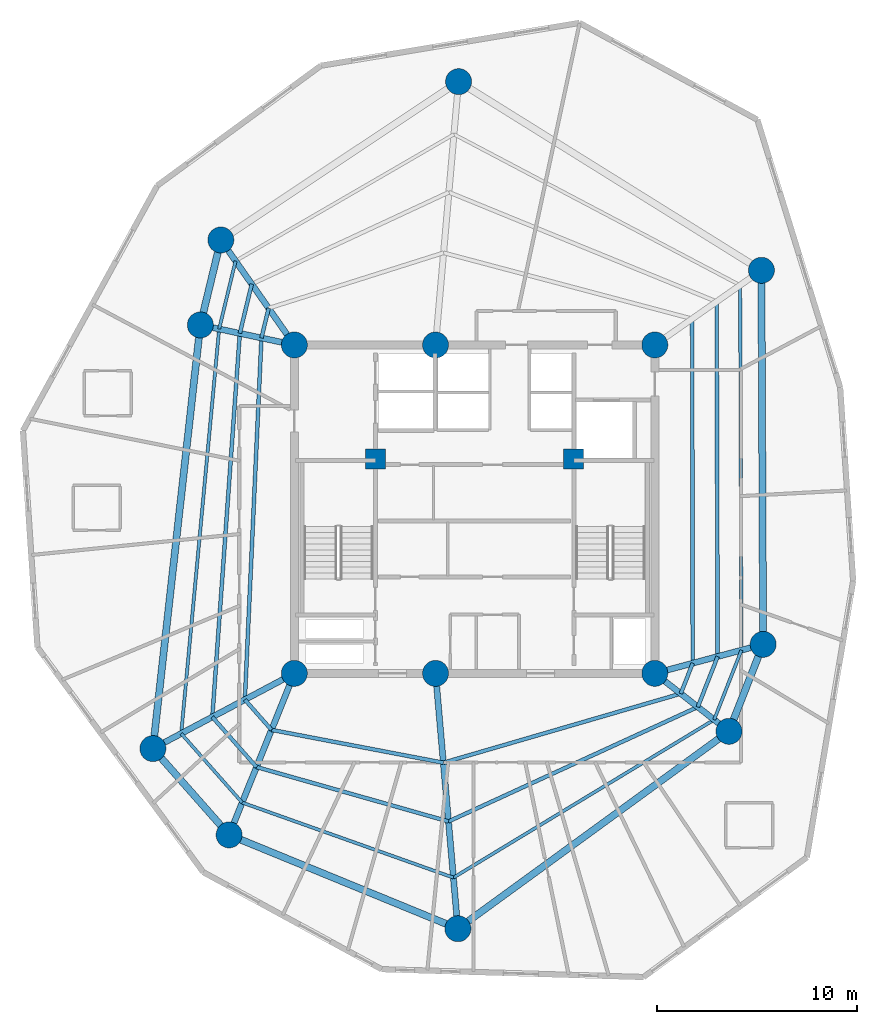
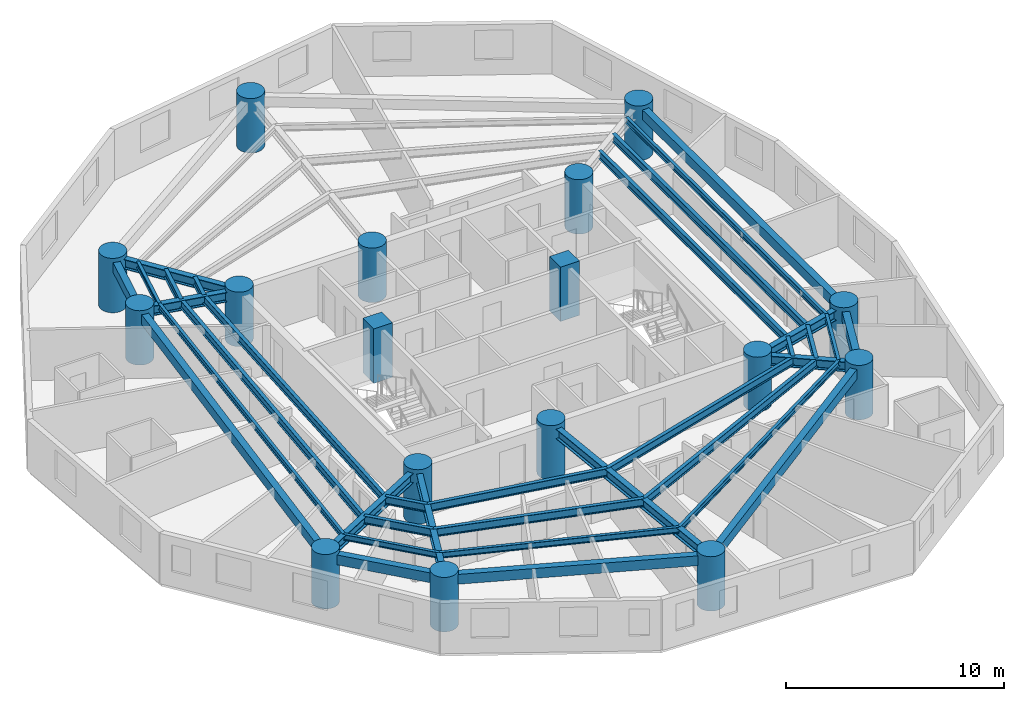
# One storey, part 1 of 7: 35 beams, 17 columns.
"""IFC4 building model written with IfcOpenShell, lengths in metres."""

from ifc_helpers import new_model, si_unit, direction, frame, origin, origin_with_axes, origin_2d, place, context, subcontext, project, spatial, rectangle, circle, i_section, extrude, source, transform, mapped, material, material_profile, profile_set, type_object, element, save


model = new_model("IFC4")

# Units and contexts
model_context = context("Model", 3, precision=1e-05, world=origin(), true_north=direction((0.0, 1.0)))
body_context = subcontext(model_context, "Body", "Model", "MODEL_VIEW")
ifc_project = project(units=[si_unit("LENGTHUNIT", "METRE"), si_unit("AREAUNIT", "SQUARE_METRE"), si_unit("VOLUMEUNIT", "CUBIC_METRE"), si_unit("PLANEANGLEUNIT", "RADIAN"), si_unit("MASSUNIT", "GRAM", prefix="KILO")], contexts=[model_context])

# Site, building, storey
site_placement = place(None, origin())
site = spatial("IfcSite", under=ifc_project, at=site_placement, CompositionType="ELEMENT")
building_placement = place(site_placement, origin())
building = spatial("IfcBuilding", under=site, at=building_placement, Name="Karkom Vertical University and Central Library", CompositionType="ELEMENT")
storey_placement = place(building_placement, frame((0.0, 0.0, 196.199951171875)))
storey = spatial("IfcBuildingStorey", under=building, at=storey_placement, Name="L57", CompositionType="ELEMENT", Elevation=196.199951171875)

# Columns
ifc_material_1 = material(Name="Concrete C50/60", Category="concrete")
ifc_material_profile_1 = material_profile(ifc_material_1, circle(Radius=0.64990234375, at=origin_2d()), Name="CFT-D1300")
ifc_profile_set_1 = profile_set([ifc_material_profile_1], Name="Concrete C50/60")
column_type_1 = type_object("IfcColumnType", Name="STR-COL-C-SC4", PredefinedType="COLUMN", material=ifc_profile_set_1)
shared_shape_1 = source(origin_with_axes(), body_context, "Body", "SweptSolid", [
    extrude(circle(Radius=0.64990234375, at=origin_2d()), origin(), (0.0, 0.0, 1.0), 3.050048828125),
])
for number, where, z_axis, x_axis, name in (
    (1, (19.5, 18.300048828125, 0.0), (0.0, 0.0, 1.0), (1.0, 0.0, 0.0), "Level 57 Spine Mega-Column SC-1"),
    (2, (26.550048828125, 18.300048828125, 0.0), (0.0, 0.0, 1.0), (1.0, 0.0, 0.0), "Level 57 Spine Mega-Column SC-2"),
    (3, (37.5, 18.300048828125, 0.0), (0.0, 0.0, 1.0), (1.0, 0.0, 0.0), "Level 57 Spine Mega-Column SC-3"),
    (4, (19.5, 34.699951171875, 0.0), (0.0, 0.0, 1.0), (1.0, 0.0, 0.0), "Level 57 Spine Mega-Column SC-4"),
    (5, (26.550048828125, 34.699951171875, 0.0), (0.0, 0.0, 1.0), (1.0, 0.0, 0.0), "Level 57 Spine Mega-Column SC-5"),
    (6, (37.5, 34.699951171875, 0.0), (0.0, 0.0, 1.0), (1.0, 0.0, 0.0), "Level 57 Spine Mega-Column SC-6"),
    (7, (42.908935546875, 19.7490234375, 0.0), (0.0, 0.0, 1.0), (1.0, 0.0, 0.0), "Level 57 Perimeter Mega-Column Z3-PC1"),
    (8, (42.823974609375, 38.427978515625, 0.0), (0.0, 0.0, 1.0), (1.0, 0.0, 0.0), "Level 57 Perimeter Mega-Column Z3-PC2"),
    (9, (27.699951171875, 47.85009765625, 0.0), (0.0, 0.0, 1.0), (1.0, 0.0, 0.0), "Level 57 Perimeter Mega-Column Z3-PC3"),
    (10, (15.8291015625, 39.943115234375, 0.0), (0.0, 0.0, 1.0), (1.0, 0.0, 0.0), "Level 57 Perimeter Mega-Column Z3-PC4"),
    (11, (14.804931640625, 35.697998046875, 0.0), (0.0, 0.0, 1.0), (1.0, 0.0, 0.0), "Level 57 Perimeter Mega-Column Z3-PC5"),
    (12, (12.43603515625, 14.5439453125, 0.0), (0.0, 0.0, 1.0), (1.0, 0.0, 0.0), "Level 57 Perimeter Mega-Column Z3-PC6"),
    (13, (16.240966796875, 10.23388671875, 0.0), (0.0, 0.0, 1.0), (1.0, 0.0, 0.0), "Level 57 Perimeter Mega-Column Z3-PC7"),
    (14, (27.666015625, 5.549072265625, 0.0), (0.0, 0.0, 1.0), (1.0, 0.0, 0.0), "Level 57 Perimeter Mega-Column Z3-PC8"),
    (15, (41.2041015625, 15.406005859375, 0.0), (0.0, 0.0, 1.0), (1.0, 0.0, 0.0), "Level 57 Perimeter Mega-Column Z3-PC9"),
):
    element("IfcColumn", number, at=place(storey_placement, frame(where, z_axis=z_axis, x_axis=x_axis)), inside=storey, type_object=column_type_1, Name=name, PredefinedType="COLUMN", context=body_context, shape_type="MappedRepresentation", body=[
        mapped(shared_shape_1, transform((0.0, 0.0, 0.0), scale=1.0)),
    ])
ifc_material_profile_2 = material_profile(ifc_material_1, rectangle(XDim=1.0, YDim=1.0, at=origin_2d()), Name="RC-1000x1000")
ifc_profile_set_2 = profile_set([ifc_material_profile_2], Name="Concrete C50/60")
column_type_2 = type_object("IfcColumnType", Name="STR-COL-C-CC2", PredefinedType="COLUMN", material=ifc_profile_set_2)
shared_shape_2 = source(origin_with_axes(), body_context, "Body", "SweptSolid", [
    extrude(rectangle(XDim=1.0, YDim=1.0, at=origin_2d()), origin(), (0.0, 0.0, 1.0), 3.050048828125),
])
for number, where, z_axis, x_axis, name in (
    (16, (23.550048828125, 29.0, 0.0), (0.0, 0.0, 1.0), (1.0, 0.0, 0.0), "Level 57 Core Node Column CC-1"),
    (17, (33.449951171875, 29.0, 0.0), (0.0, 0.0, 1.0), (1.0, 0.0, 0.0), "Level 57 Core Node Column CC-2"),
):
    element("IfcColumn", number, at=place(storey_placement, frame(where, z_axis=z_axis, x_axis=x_axis)), inside=storey, type_object=column_type_2, Name=name, PredefinedType="COLUMN", context=body_context, shape_type="MappedRepresentation", body=[
        mapped(shared_shape_2, transform((0.0, 0.0, 0.0), scale=1.0)),
    ])

# Beams
ifc_material_2 = material(Name="Precast concrete C45/55", Category="concrete")
ifc_material_profile_3 = material_profile(ifc_material_2, rectangle(XDim=0.35009765625, YDim=0.550048828125, at=origin_2d()), Name="SPB-350x550")
ifc_profile_set_3 = profile_set([ifc_material_profile_3], Name="Precast concrete C45/55")
beam_type_1 = type_object("IfcBeamType", Name="STR-BM-SP-2", PredefinedType="SPANDREL", material=ifc_profile_set_3)
shared_shape_3 = source(origin_with_axes(), body_context, "Body", "SweptSolid", [
    extrude(rectangle(XDim=0.35009765625, YDim=0.550048828125, at=origin_2d()), origin(), (0.0, 0.0, 1.0), 18.67919921875),
])
beam_1_placement = place(storey_placement, frame((42.908935546875, 19.7490234375, 2.550048828125), z_axis=(-0.004548437442, 0.999989655805, 0.0), x_axis=(-0.999989655805, -0.004548437442, 0.0)))
element("IfcBeam", 18, at=beam_1_placement, inside=storey, type_object=beam_type_1, Name="Level 57 Perimeter Spandrel Beam 01", PredefinedType="SPANDREL", context=body_context, shape_type="MappedRepresentation", body=[
    mapped(shared_shape_3, transform((0.0, 0.0, 0.0), scale=1.0)),
])
shared_shape_4 = source(origin_with_axes(), body_context, "Body", "SweptSolid", [
    extrude(rectangle(XDim=0.35009765625, YDim=0.550048828125, at=origin_2d()), origin(), (0.0, 0.0, 1.0), 4.366943359375),
])
beam_2_placement = place(storey_placement, frame((15.8291015625, 39.943115234375, 2.550048828125), z_axis=(-0.234529408772, -0.972109024966, 0.0), x_axis=(0.972109024966, -0.234529408772, 0.0)))
element("IfcBeam", 19, at=beam_2_placement, inside=storey, type_object=beam_type_1, Name="Level 57 Perimeter Spandrel Beam 04", PredefinedType="SPANDREL", context=body_context, shape_type="MappedRepresentation", body=[
    mapped(shared_shape_4, transform((0.0, 0.0, 0.0), scale=1.0)),
])
shared_shape_5 = source(origin_with_axes(), body_context, "Body", "SweptSolid", [
    extrude(rectangle(XDim=0.35009765625, YDim=0.550048828125, at=origin_2d()), origin(), (0.0, 0.0, 1.0), 21.286376953125),
])
beam_3_placement = place(storey_placement, frame((14.804931640625, 35.697998046875, 2.550048828125), z_axis=(-0.111287493264, -0.993788254028, 0.0), x_axis=(0.993788254028, -0.111287493264, 0.0)))
element("IfcBeam", 20, at=beam_3_placement, inside=storey, type_object=beam_type_1, Name="Level 57 Perimeter Spandrel Beam 05", PredefinedType="SPANDREL", context=body_context, shape_type="MappedRepresentation", body=[
    mapped(shared_shape_5, transform((0.0, 0.0, 0.0), scale=1.0)),
])
shared_shape_6 = source(origin_with_axes(), body_context, "Body", "SweptSolid", [
    extrude(rectangle(XDim=0.35009765625, YDim=0.550048828125, at=origin_2d()), origin(), (0.0, 0.0, 1.0), 5.749267578125),
])
beam_4_placement = place(storey_placement, frame((12.43603515625, 14.5439453125, 2.550048828125), z_axis=(0.661811219671, -0.74967053398, 0.0), x_axis=(0.74967053398, 0.661811219671, 0.0)))
element("IfcBeam", 21, at=beam_4_placement, inside=storey, type_object=beam_type_1, Name="Level 57 Perimeter Spandrel Beam 06", PredefinedType="SPANDREL", context=body_context, shape_type="MappedRepresentation", body=[
    mapped(shared_shape_6, transform((0.0, 0.0, 0.0), scale=1.0)),
])
shared_shape_7 = source(origin_with_axes(), body_context, "Body", "SweptSolid", [
    extrude(rectangle(XDim=0.35009765625, YDim=0.550048828125, at=origin_2d()), origin(), (0.0, 0.0, 1.0), 12.34814453125),
])
beam_5_placement = place(storey_placement, frame((16.240966796875, 10.23388671875, 2.550048828125), z_axis=(0.925236428984, -0.37939102583, 0.0), x_axis=(0.37939102583, 0.925236428984, 0.0)))
element("IfcBeam", 22, at=beam_5_placement, inside=storey, type_object=beam_type_1, Name="Level 57 Perimeter Spandrel Beam 07", PredefinedType="SPANDREL", context=body_context, shape_type="MappedRepresentation", body=[
    mapped(shared_shape_7, transform((0.0, 0.0, 0.0), scale=1.0)),
])
shared_shape_8 = source(origin_with_axes(), body_context, "Body", "SweptSolid", [
    extrude(rectangle(XDim=0.35009765625, YDim=0.550048828125, at=origin_2d()), origin(), (0.0, 0.0, 1.0), 16.746337890625),
])
beam_6_placement = place(storey_placement, frame((27.666015625, 5.549072265625, 2.550048828125), z_axis=(0.808422013284, 0.588603303115, 0.0), x_axis=(-0.588603303115, 0.808422013284, 0.0)))
element("IfcBeam", 23, at=beam_6_placement, inside=storey, type_object=beam_type_1, Name="Level 57 Perimeter Spandrel Beam 08", PredefinedType="SPANDREL", context=body_context, shape_type="MappedRepresentation", body=[
    mapped(shared_shape_8, transform((0.0, 0.0, 0.0), scale=1.0)),
])
shared_shape_9 = source(origin_with_axes(), body_context, "Body", "SweptSolid", [
    extrude(rectangle(XDim=0.35009765625, YDim=0.550048828125, at=origin_2d()), origin(), (0.0, 0.0, 1.0), 4.66552734375),
])
beam_7_placement = place(storey_placement, frame((41.2041015625, 15.406005859375, 2.550048828125), z_axis=(0.365401419454, 0.930850043058, 0.0), x_axis=(-0.930850043058, 0.365401419454, 0.0)))
element("IfcBeam", 24, at=beam_7_placement, inside=storey, type_object=beam_type_1, Name="Level 57 Perimeter Spandrel Beam 09", PredefinedType="SPANDREL", context=body_context, shape_type="MappedRepresentation", body=[
    mapped(shared_shape_9, transform((0.0, 0.0, 0.0), scale=1.0)),
])
ifc_material_3 = material(Name="Steel S355", Category="steel")
ifc_material_profile_4 = material_profile(ifc_material_3, i_section(OverallWidth=0.18994140625, OverallDepth=0.449951171875, WebThickness=0.009521484375, FlangeThickness=0.0146484375, FilletRadius=0.02099609375, at=origin_2d()), Name="IPE 450")
ifc_profile_set_4 = profile_set([ifc_material_profile_4], Name="Steel S355")
beam_type_2 = type_object("IfcBeamType", Name="STR-BM-SB-IPE450", PredefinedType="BEAM", material=ifc_profile_set_4)
shared_shape_10 = source(origin_with_axes(), body_context, "Body", "SweptSolid", [
    extrude(i_section(OverallWidth=0.18994140625, OverallDepth=0.449951171875, WebThickness=0.009521484375, FlangeThickness=0.0146484375, FilletRadius=0.02099609375, at=origin_2d()), origin(), (0.0, 0.0, 1.0), 17.19775390625),
])
beam_8_placement = place(storey_placement, frame((39.39306640625, 18.80712890625, 2.60009765625), z_axis=(-0.001731918699, 0.999998500228, 0.0), x_axis=(-0.999998500228, -0.001731918699, 0.0)))
element("IfcBeam", 25, at=beam_8_placement, inside=storey, type_object=beam_type_2, Name="Level 57 Secondary Composite Floor Beam 1.01", PredefinedType="BEAM", context=body_context, shape_type="MappedRepresentation", body=[
    mapped(shared_shape_10, transform((0.0, 0.0, 0.0), scale=1.0)),
])
shared_shape_11 = source(origin_with_axes(), body_context, "Body", "SweptSolid", [
    extrude(i_section(OverallWidth=0.18994140625, OverallDepth=0.449951171875, WebThickness=0.009521484375, FlangeThickness=0.0146484375, FilletRadius=0.02099609375, at=origin_2d()), origin(), (0.0, 0.0, 1.0), 1.5283203125),
])
beam_9_placement = place(storey_placement, frame((18.215087890625, 36.534912109375, 2.60009765625), z_axis=(-0.234520804587, -0.972111100757, 0.0), x_axis=(0.972111100757, -0.234520804587, 0.0)))
element("IfcBeam", 26, at=beam_9_placement, inside=storey, type_object=beam_type_2, Name="Level 57 Secondary Composite Floor Beam 1.04", PredefinedType="BEAM", context=body_context, shape_type="MappedRepresentation", body=[
    mapped(shared_shape_11, transform((0.0, 0.0, 0.0), scale=1.0)),
])
shared_shape_12 = source(origin_with_axes(), body_context, "Body", "SweptSolid", [
    extrude(i_section(OverallWidth=0.18994140625, OverallDepth=0.449951171875, WebThickness=0.009521484375, FlangeThickness=0.0146484375, FilletRadius=0.02099609375, at=origin_2d()), origin(), (0.0, 0.0, 1.0), 18.0830078125),
])
beam_10_placement = place(storey_placement, frame((17.856689453125, 35.04931640625, 2.60009765625), z_axis=(-0.04584982532, -0.998948343769, 0.0), x_axis=(0.998948343769, -0.04584982532, 0.0)))
element("IfcBeam", 27, at=beam_10_placement, inside=storey, type_object=beam_type_2, Name="Level 57 Secondary Composite Floor Beam 1.05", PredefinedType="BEAM", context=body_context, shape_type="MappedRepresentation", body=[
    mapped(shared_shape_12, transform((0.0, 0.0, 0.0), scale=1.0)),
])
shared_shape_13 = source(origin_with_axes(), body_context, "Body", "SweptSolid", [
    extrude(i_section(OverallWidth=0.18994140625, OverallDepth=0.449951171875, WebThickness=0.009521484375, FlangeThickness=0.0146484375, FilletRadius=0.02099609375, at=origin_2d()), origin(), (0.0, 0.0, 1.0), 2.01220703125),
])
beam_11_placement = place(storey_placement, frame((17.027587890625, 16.9853515625, 2.60009765625), z_axis=(0.661822246424, -0.749660799387, 0.0), x_axis=(0.749660799387, 0.661822246424, 0.0)))
element("IfcBeam", 28, at=beam_11_placement, inside=storey, type_object=beam_type_2, Name="Level 57 Secondary Composite Floor Beam 1.06", PredefinedType="BEAM", context=body_context, shape_type="MappedRepresentation", body=[
    mapped(shared_shape_13, transform((0.0, 0.0, 0.0), scale=1.0)),
])
shared_shape_14 = source(origin_with_axes(), body_context, "Body", "SweptSolid", [
    extrude(i_section(OverallWidth=0.18994140625, OverallDepth=0.449951171875, WebThickness=0.009521484375, FlangeThickness=0.0146484375, FilletRadius=0.02099609375, at=origin_2d()), origin(), (0.0, 0.0, 1.0), 8.736572265625),
])
beam_12_placement = place(storey_placement, frame((18.359375, 15.476806640625, 2.60009765625), z_axis=(0.982230782932, -0.187677087205, 0.0), x_axis=(0.187677087205, 0.982230782932, 0.0)))
element("IfcBeam", 29, at=beam_12_placement, inside=storey, type_object=beam_type_2, Name="Level 57 Secondary Composite Floor Beam 1.07", PredefinedType="BEAM", context=body_context, shape_type="MappedRepresentation", body=[
    mapped(shared_shape_14, transform((0.0, 0.0, 0.0), scale=1.0)),
])
shared_shape_15 = source(origin_with_axes(), body_context, "Body", "SweptSolid", [
    extrude(i_section(OverallWidth=0.18994140625, OverallDepth=0.449951171875, WebThickness=0.009521484375, FlangeThickness=0.0146484375, FilletRadius=0.02099609375, at=origin_2d()), origin(), (0.0, 0.0, 1.0), 12.347412109375),
])
beam_13_placement = place(storey_placement, frame((26.940673828125, 13.837158203125, 2.60009765625), z_axis=(0.960173212987, 0.279405442077, 0.0), x_axis=(-0.279405442077, 0.960173212987, 0.0)))
element("IfcBeam", 30, at=beam_13_placement, inside=storey, type_object=beam_type_2, Name="Level 57 Secondary Composite Floor Beam 1.08", PredefinedType="BEAM", context=body_context, shape_type="MappedRepresentation", body=[
    mapped(shared_shape_15, transform((0.0, 0.0, 0.0), scale=1.0)),
])
shared_shape_16 = source(origin_with_axes(), body_context, "Body", "SweptSolid", [
    extrude(i_section(OverallWidth=0.18994140625, OverallDepth=0.449951171875, WebThickness=0.009521484375, FlangeThickness=0.0146484375, FilletRadius=0.02099609375, at=origin_2d()), origin(), (0.0, 0.0, 1.0), 1.633056640625),
])
beam_14_placement = place(storey_placement, frame((38.79638671875, 17.287109375, 2.60009765625), z_axis=(0.365402570083, 0.930849591382, 0.0), x_axis=(-0.930849591382, 0.365402570083, 0.0)))
element("IfcBeam", 31, at=beam_14_placement, inside=storey, type_object=beam_type_2, Name="Level 57 Secondary Composite Floor Beam 1.09", PredefinedType="BEAM", context=body_context, shape_type="MappedRepresentation", body=[
    mapped(shared_shape_16, transform((0.0, 0.0, 0.0), scale=1.0)),
])
shared_shape_17 = source(origin_with_axes(), body_context, "Body", "SweptSolid", [
    extrude(i_section(OverallWidth=0.18994140625, OverallDepth=0.449951171875, WebThickness=0.009521484375, FlangeThickness=0.0146484375, FilletRadius=0.02099609375, at=origin_2d()), origin(), (0.0, 0.0, 1.0), 17.721923828125),
])
beam_15_placement = place(storey_placement, frame((40.63720703125, 19.140380859375, 2.60009765625), z_axis=(-0.002782780006, 0.99999612806, 0.0), x_axis=(-0.99999612806, -0.002782780006, 0.0)))
element("IfcBeam", 32, at=beam_15_placement, inside=storey, type_object=beam_type_2, Name="Level 57 Secondary Composite Floor Beam 2.01", PredefinedType="BEAM", context=body_context, shape_type="MappedRepresentation", body=[
    mapped(shared_shape_17, transform((0.0, 0.0, 0.0), scale=1.0)),
])
shared_shape_18 = source(origin_with_axes(), body_context, "Body", "SweptSolid", [
    extrude(i_section(OverallWidth=0.18994140625, OverallDepth=0.449951171875, WebThickness=0.009521484375, FlangeThickness=0.0146484375, FilletRadius=0.02099609375, at=origin_2d()), origin(), (0.0, 0.0, 1.0), 2.53271484375),
])
beam_16_placement = place(storey_placement, frame((17.370849609375, 37.740966796875, 2.60009765625), z_axis=(-0.234521178828, -0.972111010472, 0.0), x_axis=(0.972111010472, -0.234521178828, 0.0)))
element("IfcBeam", 33, at=beam_16_placement, inside=storey, type_object=beam_type_2, Name="Level 57 Secondary Composite Floor Beam 2.04", PredefinedType="BEAM", context=body_context, shape_type="MappedRepresentation", body=[
    mapped(shared_shape_18, transform((0.0, 0.0, 0.0), scale=1.0)),
])
shared_shape_19 = source(origin_with_axes(), body_context, "Body", "SweptSolid", [
    extrude(i_section(OverallWidth=0.18994140625, OverallDepth=0.449951171875, WebThickness=0.009521484375, FlangeThickness=0.0146484375, FilletRadius=0.02099609375, at=origin_2d()), origin(), (0.0, 0.0, 1.0), 19.20654296875),
])
beam_17_placement = place(storey_placement, frame((16.77685546875, 35.27880859375, 2.60009765625), z_axis=(-0.071539731632, -0.997437750839, 0.0), x_axis=(0.997437750839, -0.071539731632, 0.0)))
element("IfcBeam", 34, at=beam_17_placement, inside=storey, type_object=beam_type_2, Name="Level 57 Secondary Composite Floor Beam 2.05", PredefinedType="BEAM", context=body_context, shape_type="MappedRepresentation", body=[
    mapped(shared_shape_19, transform((0.0, 0.0, 0.0), scale=1.0)),
])
shared_shape_20 = source(origin_with_axes(), body_context, "Body", "SweptSolid", [
    extrude(i_section(OverallWidth=0.18994140625, OverallDepth=0.449951171875, WebThickness=0.009521484375, FlangeThickness=0.0146484375, FilletRadius=0.02099609375, at=origin_2d()), origin(), (0.0, 0.0, 1.0), 3.334716796875),
])
beam_18_placement = place(storey_placement, frame((15.40283203125, 16.12158203125, 2.60009765625), z_axis=(0.661815321502, -0.749666912852, 0.0), x_axis=(0.749666912852, 0.661815321502, 0.0)))
element("IfcBeam", 35, at=beam_18_placement, inside=storey, type_object=beam_type_2, Name="Level 57 Secondary Composite Floor Beam 2.06", PredefinedType="BEAM", context=body_context, shape_type="MappedRepresentation", body=[
    mapped(shared_shape_20, transform((0.0, 0.0, 0.0), scale=1.0)),
])
shared_shape_21 = source(origin_with_axes(), body_context, "Body", "SweptSolid", [
    extrude(i_section(OverallWidth=0.18994140625, OverallDepth=0.449951171875, WebThickness=0.009521484375, FlangeThickness=0.0146484375, FilletRadius=0.02099609375, at=origin_2d()), origin(), (0.0, 0.0, 1.0), 9.965087890625),
])
beam_19_placement = place(storey_placement, frame((17.60986328125, 13.62158203125, 2.60009765625), z_axis=(0.962104232935, -0.272681948372, 0.0), x_axis=(0.272681948372, 0.962104232935, 0.0)))
element("IfcBeam", 36, at=beam_19_placement, inside=storey, type_object=beam_type_2, Name="Level 57 Secondary Composite Floor Beam 2.07", PredefinedType="BEAM", context=body_context, shape_type="MappedRepresentation", body=[
    mapped(shared_shape_21, transform((0.0, 0.0, 0.0), scale=1.0)),
])
shared_shape_22 = source(origin_with_axes(), body_context, "Body", "SweptSolid", [
    extrude(i_section(OverallWidth=0.18994140625, OverallDepth=0.449951171875, WebThickness=0.009521484375, FlangeThickness=0.0146484375, FilletRadius=0.02099609375, at=origin_2d()), origin(), (0.0, 0.0, 1.0), 13.700927734375),
])
beam_20_placement = place(storey_placement, frame((27.197265625, 10.904296875, 2.60009765625), z_axis=(0.908771280691, 0.417294571486, 0.0), x_axis=(-0.417294571486, 0.908771280691, 0.0)))
element("IfcBeam", 37, at=beam_20_placement, inside=storey, type_object=beam_type_2, Name="Level 57 Secondary Composite Floor Beam 2.08", PredefinedType="BEAM", context=body_context, shape_type="MappedRepresentation", body=[
    mapped(shared_shape_22, transform((0.0, 0.0, 0.0), scale=1.0)),
])
shared_shape_23 = source(origin_with_axes(), body_context, "Body", "SweptSolid", [
    extrude(i_section(OverallWidth=0.18994140625, OverallDepth=0.449951171875, WebThickness=0.009521484375, FlangeThickness=0.0146484375, FilletRadius=0.02099609375, at=origin_2d()), origin(), (0.0, 0.0, 1.0), 2.7060546875),
])
beam_21_placement = place(storey_placement, frame((39.648193359375, 16.62158203125, 2.60009765625), z_axis=(0.365487674906, 0.930816179217, 0.0), x_axis=(-0.930816179217, 0.365487674906, 0.0)))
element("IfcBeam", 38, at=beam_21_placement, inside=storey, type_object=beam_type_2, Name="Level 57 Secondary Composite Floor Beam 2.09", PredefinedType="BEAM", context=body_context, shape_type="MappedRepresentation", body=[
    mapped(shared_shape_23, transform((0.0, 0.0, 0.0), scale=1.0)),
])
ifc_material_profile_5 = material_profile(ifc_material_3, i_section(OverallWidth=0.159912109375, OverallDepth=0.330078125, WebThickness=0.007568359375, FlangeThickness=0.011474609375, FilletRadius=0.01806640625, at=origin_2d()), Name="IPE 330")
ifc_profile_set_5 = profile_set([ifc_material_profile_5], Name="Steel S355")
beam_type_3 = type_object("IfcBeamType", Name="STR-BM-SB-IPE330", PredefinedType="BEAM", material=ifc_profile_set_5)
shared_shape_24 = source(origin_with_axes(), body_context, "Body", "SweptSolid", [
    extrude(i_section(OverallWidth=0.159912109375, OverallDepth=0.330078125, WebThickness=0.007568359375, FlangeThickness=0.011474609375, FilletRadius=0.01806640625, at=origin_2d()), origin(), (0.0, 0.0, 1.0), 18.223388671875),
])
beam_22_placement = place(storey_placement, frame((41.8271484375, 19.459228515625, 2.66015625), z_axis=(-0.003724418851, 0.999993064328, 0.0), x_axis=(-0.999993064328, -0.003724418851, 0.0)))
element("IfcBeam", 39, at=beam_22_placement, inside=storey, type_object=beam_type_3, Name="Level 57 Secondary Composite Floor Beam 3.01", PredefinedType="BEAM", context=body_context, shape_type="MappedRepresentation", body=[
    mapped(shared_shape_24, transform((0.0, 0.0, 0.0), scale=1.0)),
])
shared_shape_25 = source(origin_with_axes(), body_context, "Body", "SweptSolid", [
    extrude(i_section(OverallWidth=0.159912109375, OverallDepth=0.330078125, WebThickness=0.007568359375, FlangeThickness=0.011474609375, FilletRadius=0.01806640625, at=origin_2d()), origin(), (0.0, 0.0, 1.0), 3.493408203125),
])
beam_23_placement = place(storey_placement, frame((16.563232421875, 38.894287109375, 2.66015625), z_axis=(-0.234535781995, -0.972107487351, 0.0), x_axis=(0.972107487351, -0.234535781995, 0.0)))
element("IfcBeam", 40, at=beam_23_placement, inside=storey, type_object=beam_type_3, Name="Level 57 Secondary Composite Floor Beam 3.04", PredefinedType="BEAM", context=body_context, shape_type="MappedRepresentation", body=[
    mapped(shared_shape_25, transform((0.0, 0.0, 0.0), scale=1.0)),
])
shared_shape_26 = source(origin_with_axes(), body_context, "Body", "SweptSolid", [
    extrude(i_section(OverallWidth=0.159912109375, OverallDepth=0.330078125, WebThickness=0.007568359375, FlangeThickness=0.011474609375, FilletRadius=0.01806640625, at=origin_2d()), origin(), (0.0, 0.0, 1.0), 20.291748046875),
])
beam_24_placement = place(storey_placement, frame((15.743896484375, 35.498291015625, 2.66015625), z_axis=(-0.093388415244, -0.995629752417, 0.0), x_axis=(0.995629752417, -0.093388415244, 0.0)))
element("IfcBeam", 41, at=beam_24_placement, inside=storey, type_object=beam_type_3, Name="Level 57 Secondary Composite Floor Beam 3.05", PredefinedType="BEAM", context=body_context, shape_type="MappedRepresentation", body=[
    mapped(shared_shape_26, transform((0.0, 0.0, 0.0), scale=1.0)),
])
shared_shape_27 = source(origin_with_axes(), body_context, "Body", "SweptSolid", [
    extrude(i_section(OverallWidth=0.159912109375, OverallDepth=0.330078125, WebThickness=0.007568359375, FlangeThickness=0.011474609375, FilletRadius=0.01806640625, at=origin_2d()), origin(), (0.0, 0.0, 1.0), 4.599365234375),
])
beam_25_placement = place(storey_placement, frame((13.848876953125, 15.295166015625, 2.66015625), z_axis=(0.661816486801, -0.74966588411, 0.0), x_axis=(0.74966588411, 0.661816486801, 0.0)))
element("IfcBeam", 42, at=beam_25_placement, inside=storey, type_object=beam_type_3, Name="Level 57 Secondary Composite Floor Beam 3.06", PredefinedType="BEAM", context=body_context, shape_type="MappedRepresentation", body=[
    mapped(shared_shape_27, transform((0.0, 0.0, 0.0), scale=1.0)),
])
shared_shape_28 = source(origin_with_axes(), body_context, "Body", "SweptSolid", [
    extrude(i_section(OverallWidth=0.159912109375, OverallDepth=0.330078125, WebThickness=0.007568359375, FlangeThickness=0.011474609375, FilletRadius=0.01806640625, at=origin_2d()), origin(), (0.0, 0.0, 1.0), 11.196044921875),
])
beam_26_placement = place(storey_placement, frame((16.892822265625, 11.84716796875, 2.66015625), z_axis=(0.942301538336, -0.334765307119, 0.0), x_axis=(0.334765307119, 0.942301538336, 0.0)))
element("IfcBeam", 43, at=beam_26_placement, inside=storey, type_object=beam_type_3, Name="Level 57 Secondary Composite Floor Beam 3.07", PredefinedType="BEAM", context=body_context, shape_type="MappedRepresentation", body=[
    mapped(shared_shape_28, transform((0.0, 0.0, 0.0), scale=1.0)),
])
shared_shape_29 = source(origin_with_axes(), body_context, "Body", "SweptSolid", [
    extrude(i_section(OverallWidth=0.159912109375, OverallDepth=0.330078125, WebThickness=0.007568359375, FlangeThickness=0.011474609375, FilletRadius=0.01806640625, at=origin_2d()), origin(), (0.0, 0.0, 1.0), 15.22216796875),
])
beam_27_placement = place(storey_placement, frame((27.44287109375, 8.09912109375, 2.66015625), z_axis=(0.855352900974, 0.518045765155, 0.0), x_axis=(-0.518045765155, 0.855352900974, 0.0)))
element("IfcBeam", 44, at=beam_27_placement, inside=storey, type_object=beam_type_3, Name="Level 57 Secondary Composite Floor Beam 3.08", PredefinedType="BEAM", context=body_context, shape_type="MappedRepresentation", body=[
    mapped(shared_shape_29, transform((0.0, 0.0, 0.0), scale=1.0)),
])
shared_shape_30 = source(origin_with_axes(), body_context, "Body", "SweptSolid", [
    extrude(i_section(OverallWidth=0.159912109375, OverallDepth=0.330078125, WebThickness=0.007568359375, FlangeThickness=0.011474609375, FilletRadius=0.01806640625, at=origin_2d()), origin(), (0.0, 0.0, 1.0), 3.732421875),
])
beam_28_placement = place(storey_placement, frame((40.463134765625, 15.98486328125, 2.66015625), z_axis=(0.365439874109, 0.930834946922, 0.0), x_axis=(-0.930834946922, 0.365439874109, 0.0)))
element("IfcBeam", 45, at=beam_28_placement, inside=storey, type_object=beam_type_3, Name="Level 57 Secondary Composite Floor Beam 3.09", PredefinedType="BEAM", context=body_context, shape_type="MappedRepresentation", body=[
    mapped(shared_shape_30, transform((0.0, 0.0, 0.0), scale=1.0)),
])
ifc_material_profile_6 = material_profile(ifc_material_3, i_section(OverallWidth=0.300048828125, OverallDepth=0.550048828125, WebThickness=0.014892578125, FlangeThickness=0.029052734375, FilletRadius=0.027099609375, at=origin_2d()), Name="HE 550 B")
ifc_profile_set_6 = profile_set([ifc_material_profile_6], Name="Steel S355")
beam_type_4 = type_object("IfcBeamType", Name="STR-BM-SB-HE550", PredefinedType="USERDEFINED", material=ifc_profile_set_6)
shared_shape_31 = source(origin_with_axes(), body_context, "Body", "SweptSolid", [
    extrude(i_section(OverallWidth=0.300048828125, OverallDepth=0.550048828125, WebThickness=0.014892578125, FlangeThickness=0.029052734375, FilletRadius=0.027099609375, at=origin_2d()), origin(), (0.0, 0.0, 1.0), 5.599609375),
])
beam_29_placement = place(storey_placement, frame((37.5, 18.300048828125, 2.550048828125), z_axis=(0.965941240814, 0.258761510459, 0.0), x_axis=(-0.258761510459, 0.965941240814, 0.0)))
element("IfcBeam", 46, at=beam_29_placement, inside=storey, type_object=beam_type_4, Name="Level 57 Radial Frame Girder 01", ObjectType="GIRDER", PredefinedType="USERDEFINED", context=body_context, shape_type="MappedRepresentation", body=[
    mapped(shared_shape_31, transform((0.0, 0.0, 0.0), scale=1.0)),
])
shared_shape_32 = source(origin_with_axes(), body_context, "Body", "SweptSolid", [
    extrude(i_section(OverallWidth=0.300048828125, OverallDepth=0.550048828125, WebThickness=0.014892578125, FlangeThickness=0.029052734375, FilletRadius=0.027099609375, at=origin_2d()), origin(), (0.0, 0.0, 1.0), 6.400390625),
])
beam_30_placement = place(storey_placement, frame((19.5, 34.699951171875, 2.550048828125), z_axis=(-0.573534022273, 0.81918174131, 0.0), x_axis=(-0.81918174131, -0.573534022273, 0.0)))
element("IfcBeam", 47, at=beam_30_placement, inside=storey, type_object=beam_type_4, Name="Level 57 Radial Frame Girder 04", ObjectType="GIRDER", PredefinedType="USERDEFINED", context=body_context, shape_type="MappedRepresentation", body=[
    mapped(shared_shape_32, transform((0.0, 0.0, 0.0), scale=1.0)),
])
shared_shape_33 = source(origin_with_axes(), body_context, "Body", "SweptSolid", [
    extrude(i_section(OverallWidth=0.300048828125, OverallDepth=0.550048828125, WebThickness=0.014892578125, FlangeThickness=0.029052734375, FilletRadius=0.027099609375, at=origin_2d()), origin(), (0.0, 0.0, 1.0), 4.800048828125),
])
beam_31_placement = place(storey_placement, frame((19.5, 34.699951171875, 2.550048828125), z_axis=(-0.978144241295, 0.207927495108, 0.0), x_axis=(-0.207927495108, -0.978144241295, 0.0)))
element("IfcBeam", 48, at=beam_31_placement, inside=storey, type_object=beam_type_4, Name="Level 57 Radial Frame Girder 05", ObjectType="GIRDER", PredefinedType="USERDEFINED", context=body_context, shape_type="MappedRepresentation", body=[
    mapped(shared_shape_33, transform((0.0, 0.0, 0.0), scale=1.0)),
])
shared_shape_34 = source(origin_with_axes(), body_context, "Body", "SweptSolid", [
    extrude(i_section(OverallWidth=0.300048828125, OverallDepth=0.550048828125, WebThickness=0.014892578125, FlangeThickness=0.029052734375, FilletRadius=0.027099609375, at=origin_2d()), origin(), (0.0, 0.0, 1.0), 8.00048828125),
])
beam_32_placement = place(storey_placement, frame((19.5, 18.300048828125, 2.550048828125), z_axis=(-0.882941023922, -0.46948391695, 0.0), x_axis=(0.46948391695, -0.882941023922, 0.0)))
element("IfcBeam", 49, at=beam_32_placement, inside=storey, type_object=beam_type_4, Name="Level 57 Radial Frame Girder 06", ObjectType="GIRDER", PredefinedType="USERDEFINED", context=body_context, shape_type="MappedRepresentation", body=[
    mapped(shared_shape_34, transform((0.0, 0.0, 0.0), scale=1.0)),
])
shared_shape_35 = source(origin_with_axes(), body_context, "Body", "SweptSolid", [
    extrude(i_section(OverallWidth=0.300048828125, OverallDepth=0.550048828125, WebThickness=0.014892578125, FlangeThickness=0.029052734375, FilletRadius=0.027099609375, at=origin_2d()), origin(), (0.0, 0.0, 1.0), 8.69970703125),
])
beam_33_placement = place(storey_placement, frame((19.5, 18.300048828125, 2.550048828125), z_axis=(-0.374615701214, -0.927180174725, 0.0), x_axis=(0.927180174725, -0.374615701214, 0.0)))
element("IfcBeam", 50, at=beam_33_placement, inside=storey, type_object=beam_type_4, Name="Level 57 Radial Frame Girder 07", ObjectType="GIRDER", PredefinedType="USERDEFINED", context=body_context, shape_type="MappedRepresentation", body=[
    mapped(shared_shape_35, transform((0.0, 0.0, 0.0), scale=1.0)),
])
shared_shape_36 = source(origin_with_axes(), body_context, "Body", "SweptSolid", [
    extrude(i_section(OverallWidth=0.300048828125, OverallDepth=0.550048828125, WebThickness=0.014892578125, FlangeThickness=0.029052734375, FilletRadius=0.027099609375, at=origin_2d()), origin(), (0.0, 0.0, 1.0), 12.7998046875),
])
beam_34_placement = place(storey_placement, frame((26.550048828125, 18.300048828125, 2.550048828125), z_axis=(0.087186825694, -0.996191978198, 0.0), x_axis=(0.996191978198, 0.087186825694, 0.0)))
element("IfcBeam", 51, at=beam_34_placement, inside=storey, type_object=beam_type_4, Name="Level 57 Radial Frame Girder 08", ObjectType="GIRDER", PredefinedType="USERDEFINED", context=body_context, shape_type="MappedRepresentation", body=[
    mapped(shared_shape_36, transform((0.0, 0.0, 0.0), scale=1.0)),
])
shared_shape_37 = source(origin_with_axes(), body_context, "Body", "SweptSolid", [
    extrude(i_section(OverallWidth=0.300048828125, OverallDepth=0.550048828125, WebThickness=0.014892578125, FlangeThickness=0.029052734375, FilletRadius=0.027099609375, at=origin_2d()), origin(), (0.0, 0.0, 1.0), 4.70068359375),
])
beam_35_placement = place(storey_placement, frame((37.5, 18.300048828125, 2.550048828125), z_axis=(0.788002325582, -0.615672262553, 0.0), x_axis=(0.615672262553, 0.788002325582, 0.0)))
element("IfcBeam", 52, at=beam_35_placement, inside=storey, type_object=beam_type_4, Name="Level 57 Radial Frame Girder 09", ObjectType="GIRDER", PredefinedType="USERDEFINED", context=body_context, shape_type="MappedRepresentation", body=[
    mapped(shared_shape_37, transform((0.0, 0.0, 0.0), scale=1.0)),
])

save(model, "model.ifc")
